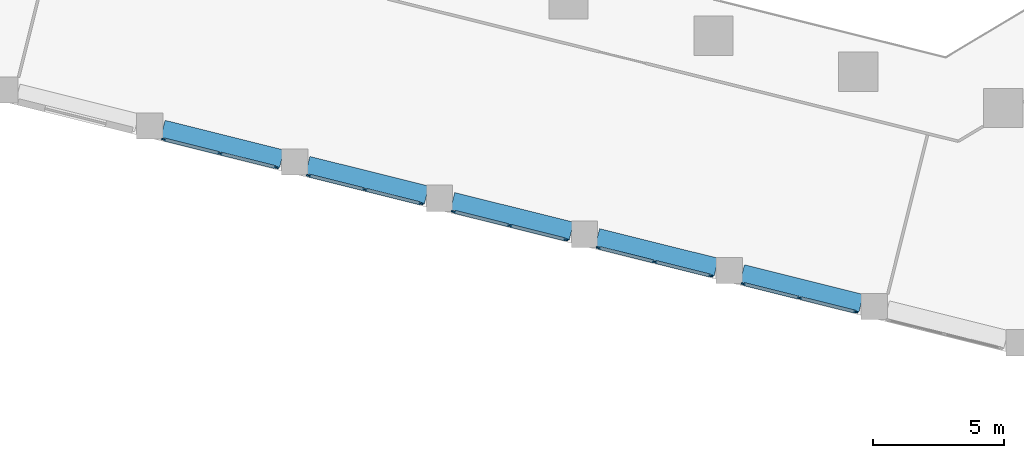
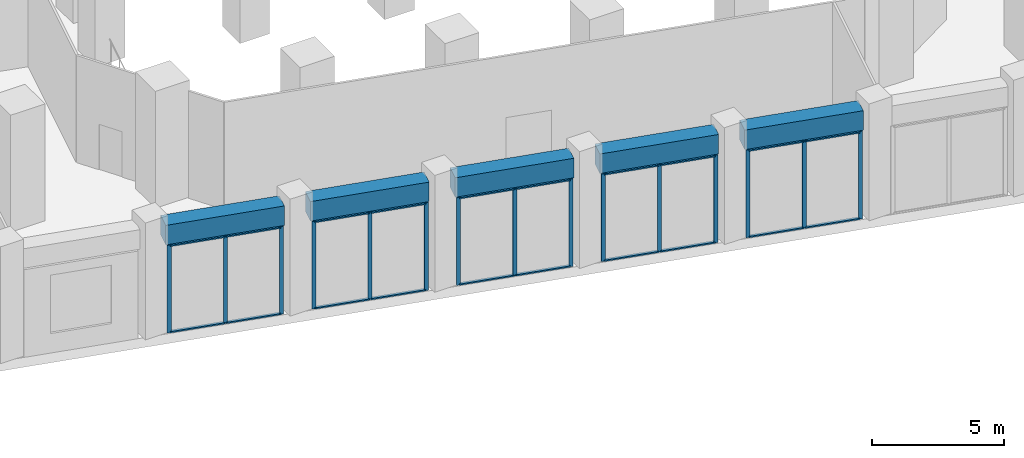
# One storey, part 2 of 23: 35 members, 5 beams, 5 elements without a shape of their own.
"""IFC4 building model written with IfcOpenShell, lengths in metres."""

from ifc_helpers import new_model, si_unit, direction, frame, origin, origin_2d, place, context, subcontext, project, spatial, rectangle, extrude, material, material_profile, profile_set, type_object, element, aggregate, save


model = new_model("IFC4")

# Units and contexts
model_context = context("Model", 3, precision=1e-05, world=origin(), true_north=direction((0.0, 1.0)))
body_context = subcontext(model_context, "Body", "Model", "MODEL_VIEW")
ifc_project = project(units=[si_unit("LENGTHUNIT", "METRE"), si_unit("AREAUNIT", "SQUARE_METRE"), si_unit("VOLUMEUNIT", "CUBIC_METRE"), si_unit("PLANEANGLEUNIT", "RADIAN"), si_unit("MASSUNIT", "GRAM", prefix="KILO")], contexts=[model_context])

# Site, building, storey
site_placement = place(None, origin())
site = spatial("IfcSite", under=ifc_project, at=site_placement, CompositionType="ELEMENT")
building_placement = place(site_placement, origin())
building = spatial("IfcBuilding", under=site, at=building_placement, Name="Meshkara Civic Tower", CompositionType="ELEMENT")
storey_placement = place(building_placement, frame((0.0, 0.0, 7.199951171875)))
storey = spatial("IfcBuildingStorey", under=building, at=storey_placement, Name="L01", CompositionType="ELEMENT", Elevation=7.199951171875)

# Curtain wall, members
ifc_material_1 = material(Name="Tinted double glazing", Category="glass")
curtain_wall_type = type_object("IfcCurtainWallType", Name="CW SERVICE HALL FRONT", PredefinedType="NOTDEFINED", material=ifc_material_1)
curtain_wall_1_placement = place(storey_placement, origin())
curtain_wall_1 = element("IfcCurtainWall", 1, at=curtain_wall_1_placement, inside=storey, type_object=curtain_wall_type, Name="Curtain wall CW1", PredefinedType="NOTDEFINED")
ifc_material_2 = material(Name="Bronze anodised aluminium", Category="aluminium")
ifc_material_profile_1 = material_profile(ifc_material_2, rectangle(XDim=0.06005859375, YDim=0.159912109375, at=origin_2d()))
ifc_profile_set_1 = profile_set([ifc_material_profile_1], Name="Bronze anodised aluminium")
member_type_1 = type_object("IfcMemberType", Name="CW MULLION 60x160", PredefinedType="MULLION", material=ifc_profile_set_1)
member_1_placement = place(storey_placement, frame((29.046142578125, -15.97119140625, 0.0), z_axis=(0.0, 0.0, 1.0), x_axis=(0.24201124502, 0.970273444594, 0.0)))
member_1 = element("IfcMember", 2, at=member_1_placement, type_object=member_type_1, Name="CW1 mullion 1", PredefinedType="MULLION", context=body_context, shape_type="SweptSolid", body=[
    extrude(rectangle(XDim=0.06005859375, YDim=0.159912109375, at=origin_2d()), origin(), (0.0, 0.0, 1.0), 4.050048828125),
])
member_2_placement = place(storey_placement, frame((31.194091796875, -16.507080078125, 0.0), z_axis=(0.0, 0.0, 1.0), x_axis=(0.24201124502, 0.970273444594, 0.0)))
member_2 = element("IfcMember", 3, at=member_2_placement, type_object=member_type_1, Name="CW1 mullion 2", PredefinedType="MULLION", context=body_context, shape_type="SweptSolid", body=[
    extrude(rectangle(XDim=0.06005859375, YDim=0.159912109375, at=origin_2d()), origin(), (0.0, 0.0, 1.0), 4.050048828125),
])
member_3_placement = place(storey_placement, frame((33.341796875, -17.042724609375, 0.0), z_axis=(0.0, 0.0, 1.0), x_axis=(0.24201124502, 0.970273444594, 0.0)))
member_3 = element("IfcMember", 4, at=member_3_placement, type_object=member_type_1, Name="CW1 mullion 3", PredefinedType="MULLION", context=body_context, shape_type="SweptSolid", body=[
    extrude(rectangle(XDim=0.06005859375, YDim=0.159912109375, at=origin_2d()), origin(), (0.0, 0.0, 1.0), 4.050048828125),
])

curtain_wall_2_placement = place(storey_placement, origin())
curtain_wall_2 = element("IfcCurtainWall", 5, at=curtain_wall_2_placement, inside=storey, type_object=curtain_wall_type, Name="Curtain wall CW1", PredefinedType="NOTDEFINED")
member_4_placement = place(storey_placement, frame((34.5771484375, -17.350341796875, 0.0), z_axis=(0.0, 0.0, 1.0), x_axis=(0.24201124502, 0.970273444594, 0.0)))
member_4 = element("IfcMember", 6, at=member_4_placement, type_object=member_type_1, Name="CW1 mullion 1", PredefinedType="MULLION", context=body_context, shape_type="SweptSolid", body=[
    extrude(rectangle(XDim=0.06005859375, YDim=0.159912109375, at=origin_2d()), origin(), (0.0, 0.0, 1.0), 4.050048828125),
])
member_5_placement = place(storey_placement, frame((36.72509765625, -17.885986328125, 0.0), z_axis=(0.0, 0.0, 1.0), x_axis=(0.24201124502, 0.970273444594, 0.0)))
member_5 = element("IfcMember", 7, at=member_5_placement, type_object=member_type_1, Name="CW1 mullion 2", PredefinedType="MULLION", context=body_context, shape_type="SweptSolid", body=[
    extrude(rectangle(XDim=0.06005859375, YDim=0.159912109375, at=origin_2d()), origin(), (0.0, 0.0, 1.0), 4.050048828125),
])
member_6_placement = place(storey_placement, frame((38.872802734375, -18.421630859375, 0.0), z_axis=(0.0, 0.0, 1.0), x_axis=(0.24201124502, 0.970273444594, 0.0)))
member_6 = element("IfcMember", 8, at=member_6_placement, type_object=member_type_1, Name="CW1 mullion 3", PredefinedType="MULLION", context=body_context, shape_type="SweptSolid", body=[
    extrude(rectangle(XDim=0.06005859375, YDim=0.159912109375, at=origin_2d()), origin(), (0.0, 0.0, 1.0), 4.050048828125),
])

curtain_wall_3_placement = place(storey_placement, origin())
curtain_wall_3 = element("IfcCurtainWall", 9, at=curtain_wall_3_placement, inside=storey, type_object=curtain_wall_type, Name="Curtain wall CW1", PredefinedType="NOTDEFINED")
member_7_placement = place(storey_placement, frame((40.107177734375, -18.729248046875, 0.0), z_axis=(0.0, 0.0, 1.0), x_axis=(0.24201124502, 0.970273444594, 0.0)))
member_7 = element("IfcMember", 10, at=member_7_placement, type_object=member_type_1, Name="CW1 mullion 1", PredefinedType="MULLION", context=body_context, shape_type="SweptSolid", body=[
    extrude(rectangle(XDim=0.06005859375, YDim=0.159912109375, at=origin_2d()), origin(), (0.0, 0.0, 1.0), 4.050048828125),
])
member_8_placement = place(storey_placement, frame((42.2548828125, -19.264892578125, 0.0), z_axis=(0.0, 0.0, 1.0), x_axis=(0.24201124502, 0.970273444594, 0.0)))
member_8 = element("IfcMember", 11, at=member_8_placement, type_object=member_type_1, Name="CW1 mullion 2", PredefinedType="MULLION", context=body_context, shape_type="SweptSolid", body=[
    extrude(rectangle(XDim=0.06005859375, YDim=0.159912109375, at=origin_2d()), origin(), (0.0, 0.0, 1.0), 4.050048828125),
])
member_9_placement = place(storey_placement, frame((44.40283203125, -19.80078125, 0.0), z_axis=(0.0, 0.0, 1.0), x_axis=(0.24201124502, 0.970273444594, 0.0)))
member_9 = element("IfcMember", 12, at=member_9_placement, type_object=member_type_1, Name="CW1 mullion 3", PredefinedType="MULLION", context=body_context, shape_type="SweptSolid", body=[
    extrude(rectangle(XDim=0.06005859375, YDim=0.159912109375, at=origin_2d()), origin(), (0.0, 0.0, 1.0), 4.050048828125),
])

curtain_wall_4_placement = place(storey_placement, origin())
curtain_wall_4 = element("IfcCurtainWall", 13, at=curtain_wall_4_placement, inside=storey, type_object=curtain_wall_type, Name="Curtain wall CW1", PredefinedType="NOTDEFINED")
member_10_placement = place(storey_placement, frame((45.63818359375, -20.108154296875, 0.0), z_axis=(0.0, 0.0, 1.0), x_axis=(0.24201124502, 0.970273444594, 0.0)))
member_10 = element("IfcMember", 14, at=member_10_placement, type_object=member_type_1, Name="CW1 mullion 1", PredefinedType="MULLION", context=body_context, shape_type="SweptSolid", body=[
    extrude(rectangle(XDim=0.06005859375, YDim=0.159912109375, at=origin_2d()), origin(), (0.0, 0.0, 1.0), 4.050048828125),
])
member_11_placement = place(storey_placement, frame((47.785888671875, -20.64404296875, 0.0), z_axis=(0.0, 0.0, 1.0), x_axis=(0.24201124502, 0.970273444594, 0.0)))
member_11 = element("IfcMember", 15, at=member_11_placement, type_object=member_type_1, Name="CW1 mullion 2", PredefinedType="MULLION", context=body_context, shape_type="SweptSolid", body=[
    extrude(rectangle(XDim=0.06005859375, YDim=0.159912109375, at=origin_2d()), origin(), (0.0, 0.0, 1.0), 4.050048828125),
])
member_12_placement = place(storey_placement, frame((49.933837890625, -21.1796875, 0.0), z_axis=(0.0, 0.0, 1.0), x_axis=(0.24201124502, 0.970273444594, 0.0)))
member_12 = element("IfcMember", 16, at=member_12_placement, type_object=member_type_1, Name="CW1 mullion 3", PredefinedType="MULLION", context=body_context, shape_type="SweptSolid", body=[
    extrude(rectangle(XDim=0.06005859375, YDim=0.159912109375, at=origin_2d()), origin(), (0.0, 0.0, 1.0), 4.050048828125),
])

curtain_wall_5_placement = place(storey_placement, origin())
curtain_wall_5 = element("IfcCurtainWall", 17, at=curtain_wall_5_placement, inside=storey, type_object=curtain_wall_type, Name="Curtain wall CW1", PredefinedType="NOTDEFINED")
member_13_placement = place(storey_placement, frame((51.169189453125, -21.4873046875, 0.0), z_axis=(0.0, 0.0, 1.0), x_axis=(0.24201124502, 0.970273444594, 0.0)))
member_13 = element("IfcMember", 18, at=member_13_placement, type_object=member_type_1, Name="CW1 mullion 1", PredefinedType="MULLION", context=body_context, shape_type="SweptSolid", body=[
    extrude(rectangle(XDim=0.06005859375, YDim=0.159912109375, at=origin_2d()), origin(), (0.0, 0.0, 1.0), 4.050048828125),
])
member_14_placement = place(storey_placement, frame((53.31689453125, -22.02294921875, 0.0), z_axis=(0.0, 0.0, 1.0), x_axis=(0.24201124502, 0.970273444594, 0.0)))
member_14 = element("IfcMember", 19, at=member_14_placement, type_object=member_type_1, Name="CW1 mullion 2", PredefinedType="MULLION", context=body_context, shape_type="SweptSolid", body=[
    extrude(rectangle(XDim=0.06005859375, YDim=0.159912109375, at=origin_2d()), origin(), (0.0, 0.0, 1.0), 4.050048828125),
])
member_15_placement = place(storey_placement, frame((55.46484375, -22.558837890625, 0.0), z_axis=(0.0, 0.0, 1.0), x_axis=(0.24201124502, 0.970273444594, 0.0)))
member_15 = element("IfcMember", 20, at=member_15_placement, type_object=member_type_1, Name="CW1 mullion 3", PredefinedType="MULLION", context=body_context, shape_type="SweptSolid", body=[
    extrude(rectangle(XDim=0.06005859375, YDim=0.159912109375, at=origin_2d()), origin(), (0.0, 0.0, 1.0), 4.050048828125),
])

# Member
ifc_material_3 = material(Name="Bronze anodised aluminium", Category="aluminium")
ifc_material_profile_2 = material_profile(ifc_material_3, rectangle(XDim=0.1201171875, YDim=0.06005859375, at=origin_2d()))
ifc_profile_set_2 = profile_set([ifc_material_profile_2], Name="Bronze anodised aluminium")
member_type_2 = type_object("IfcMemberType", Name="CW TRANSOM 60x120", PredefinedType="USERDEFINED", material=ifc_profile_set_2)
member_16_placement = place(storey_placement, frame((29.0751953125, -15.978515625, 0.030029296875), z_axis=(0.970269066962, -0.242028795182, 0.0), x_axis=(0.242028795182, 0.970269066962, 0.0)))
member_16 = element("IfcMember", 21, at=member_16_placement, type_object=member_type_2, Name="CW1 transom 1.1", ObjectType="TRANSOM", PredefinedType="USERDEFINED", context=body_context, shape_type="SweptSolid", body=[
    extrude(rectangle(XDim=0.1201171875, YDim=0.06005859375, at=origin_2d()), origin(), (0.0, 0.0, 1.0), 2.153564453125),
])

member_17_placement = place(storey_placement, frame((29.0751953125, -15.978515625, 4.02001953125), z_axis=(0.970269066962, -0.242028795182, 0.0), x_axis=(0.242028795182, 0.970269066962, 0.0)))
member_17 = element("IfcMember", 22, at=member_17_placement, type_object=member_type_2, Name="CW1 transom 1.2", ObjectType="TRANSOM", PredefinedType="USERDEFINED", context=body_context, shape_type="SweptSolid", body=[
    extrude(rectangle(XDim=0.1201171875, YDim=0.06005859375, at=origin_2d()), origin(), (0.0, 0.0, 1.0), 2.153564453125),
])

member_18_placement = place(storey_placement, frame((31.22314453125, -16.51416015625, 0.030029296875), z_axis=(0.970269066962, -0.242028795182, 0.0), x_axis=(0.242028795182, 0.970269066962, 0.0)))
member_18 = element("IfcMember", 23, at=member_18_placement, type_object=member_type_2, Name="CW1 transom 2.1", ObjectType="TRANSOM", PredefinedType="USERDEFINED", context=body_context, shape_type="SweptSolid", body=[
    extrude(rectangle(XDim=0.1201171875, YDim=0.06005859375, at=origin_2d()), origin(), (0.0, 0.0, 1.0), 2.153564453125),
])

member_19_placement = place(storey_placement, frame((31.22314453125, -16.51416015625, 4.02001953125), z_axis=(0.970269066962, -0.242028795182, 0.0), x_axis=(0.242028795182, 0.970269066962, 0.0)))
member_19 = element("IfcMember", 24, at=member_19_placement, type_object=member_type_2, Name="CW1 transom 2.2", ObjectType="TRANSOM", PredefinedType="USERDEFINED", context=body_context, shape_type="SweptSolid", body=[
    extrude(rectangle(XDim=0.1201171875, YDim=0.06005859375, at=origin_2d()), origin(), (0.0, 0.0, 1.0), 2.153564453125),
])

aggregate(curtain_wall_1, [member_1, member_2, member_3, member_16, member_17, member_18, member_19])

member_20_placement = place(storey_placement, frame((34.606201171875, -17.357421875, 0.030029296875), z_axis=(0.970269066962, -0.242028795182, 0.0), x_axis=(0.242028795182, 0.970269066962, 0.0)))
member_20 = element("IfcMember", 25, at=member_20_placement, type_object=member_type_2, Name="CW1 transom 1.1", ObjectType="TRANSOM", PredefinedType="USERDEFINED", context=body_context, shape_type="SweptSolid", body=[
    extrude(rectangle(XDim=0.1201171875, YDim=0.06005859375, at=origin_2d()), origin(), (0.0, 0.0, 1.0), 2.153564453125),
])

member_21_placement = place(storey_placement, frame((34.606201171875, -17.357421875, 4.02001953125), z_axis=(0.970269066962, -0.242028795182, 0.0), x_axis=(0.242028795182, 0.970269066962, 0.0)))
member_21 = element("IfcMember", 26, at=member_21_placement, type_object=member_type_2, Name="CW1 transom 1.2", ObjectType="TRANSOM", PredefinedType="USERDEFINED", context=body_context, shape_type="SweptSolid", body=[
    extrude(rectangle(XDim=0.1201171875, YDim=0.06005859375, at=origin_2d()), origin(), (0.0, 0.0, 1.0), 2.153564453125),
])

member_22_placement = place(storey_placement, frame((36.754150390625, -17.893310546875, 0.030029296875), z_axis=(0.970269066962, -0.242028795182, 0.0), x_axis=(0.242028795182, 0.970269066962, 0.0)))
member_22 = element("IfcMember", 27, at=member_22_placement, type_object=member_type_2, Name="CW1 transom 2.1", ObjectType="TRANSOM", PredefinedType="USERDEFINED", context=body_context, shape_type="SweptSolid", body=[
    extrude(rectangle(XDim=0.1201171875, YDim=0.06005859375, at=origin_2d()), origin(), (0.0, 0.0, 1.0), 2.153564453125),
])

member_23_placement = place(storey_placement, frame((36.754150390625, -17.893310546875, 4.02001953125), z_axis=(0.970269066962, -0.242028795182, 0.0), x_axis=(0.242028795182, 0.970269066962, 0.0)))
member_23 = element("IfcMember", 28, at=member_23_placement, type_object=member_type_2, Name="CW1 transom 2.2", ObjectType="TRANSOM", PredefinedType="USERDEFINED", context=body_context, shape_type="SweptSolid", body=[
    extrude(rectangle(XDim=0.1201171875, YDim=0.06005859375, at=origin_2d()), origin(), (0.0, 0.0, 1.0), 2.153564453125),
])

aggregate(curtain_wall_2, [member_4, member_5, member_6, member_20, member_21, member_22, member_23])

member_24_placement = place(storey_placement, frame((40.13623046875, -18.736572265625, 0.030029296875), z_axis=(0.970269066962, -0.242028795182, 0.0), x_axis=(0.242028795182, 0.970269066962, 0.0)))
member_24 = element("IfcMember", 29, at=member_24_placement, type_object=member_type_2, Name="CW1 transom 1.1", ObjectType="TRANSOM", PredefinedType="USERDEFINED", context=body_context, shape_type="SweptSolid", body=[
    extrude(rectangle(XDim=0.1201171875, YDim=0.06005859375, at=origin_2d()), origin(), (0.0, 0.0, 1.0), 2.153564453125),
])

member_25_placement = place(storey_placement, frame((40.13623046875, -18.736572265625, 4.02001953125), z_axis=(0.970269066962, -0.242028795182, 0.0), x_axis=(0.242028795182, 0.970269066962, 0.0)))
member_25 = element("IfcMember", 30, at=member_25_placement, type_object=member_type_2, Name="CW1 transom 1.2", ObjectType="TRANSOM", PredefinedType="USERDEFINED", context=body_context, shape_type="SweptSolid", body=[
    extrude(rectangle(XDim=0.1201171875, YDim=0.06005859375, at=origin_2d()), origin(), (0.0, 0.0, 1.0), 2.153564453125),
])

member_26_placement = place(storey_placement, frame((42.2841796875, -19.272216796875, 0.030029296875), z_axis=(0.970269066962, -0.242028795182, 0.0), x_axis=(0.242028795182, 0.970269066962, 0.0)))
member_26 = element("IfcMember", 31, at=member_26_placement, type_object=member_type_2, Name="CW1 transom 2.1", ObjectType="TRANSOM", PredefinedType="USERDEFINED", context=body_context, shape_type="SweptSolid", body=[
    extrude(rectangle(XDim=0.1201171875, YDim=0.06005859375, at=origin_2d()), origin(), (0.0, 0.0, 1.0), 2.153564453125),
])

member_27_placement = place(storey_placement, frame((42.2841796875, -19.272216796875, 4.02001953125), z_axis=(0.970269066962, -0.242028795182, 0.0), x_axis=(0.242028795182, 0.970269066962, 0.0)))
member_27 = element("IfcMember", 32, at=member_27_placement, type_object=member_type_2, Name="CW1 transom 2.2", ObjectType="TRANSOM", PredefinedType="USERDEFINED", context=body_context, shape_type="SweptSolid", body=[
    extrude(rectangle(XDim=0.1201171875, YDim=0.06005859375, at=origin_2d()), origin(), (0.0, 0.0, 1.0), 2.153564453125),
])

aggregate(curtain_wall_3, [member_7, member_8, member_9, member_24, member_25, member_26, member_27])

member_28_placement = place(storey_placement, frame((45.667236328125, -20.115478515625, 0.030029296875), z_axis=(0.970269066962, -0.242028795182, 0.0), x_axis=(0.242028795182, 0.970269066962, 0.0)))
member_28 = element("IfcMember", 33, at=member_28_placement, type_object=member_type_2, Name="CW1 transom 1.1", ObjectType="TRANSOM", PredefinedType="USERDEFINED", context=body_context, shape_type="SweptSolid", body=[
    extrude(rectangle(XDim=0.1201171875, YDim=0.06005859375, at=origin_2d()), origin(), (0.0, 0.0, 1.0), 2.153564453125),
])

member_29_placement = place(storey_placement, frame((45.667236328125, -20.115478515625, 4.02001953125), z_axis=(0.970269066962, -0.242028795182, 0.0), x_axis=(0.242028795182, 0.970269066962, 0.0)))
member_29 = element("IfcMember", 34, at=member_29_placement, type_object=member_type_2, Name="CW1 transom 1.2", ObjectType="TRANSOM", PredefinedType="USERDEFINED", context=body_context, shape_type="SweptSolid", body=[
    extrude(rectangle(XDim=0.1201171875, YDim=0.06005859375, at=origin_2d()), origin(), (0.0, 0.0, 1.0), 2.153564453125),
])

member_30_placement = place(storey_placement, frame((47.815185546875, -20.6513671875, 0.030029296875), z_axis=(0.970295683069, -0.241922068895, 0.0), x_axis=(0.241922068895, 0.970295683069, 0.0)))
member_30 = element("IfcMember", 35, at=member_30_placement, type_object=member_type_2, Name="CW1 transom 2.1", ObjectType="TRANSOM", PredefinedType="USERDEFINED", context=body_context, shape_type="SweptSolid", body=[
    extrude(rectangle(XDim=0.1201171875, YDim=0.06005859375, at=origin_2d()), origin(), (0.0, 0.0, 1.0), 2.153564453125),
])

member_31_placement = place(storey_placement, frame((47.815185546875, -20.6513671875, 4.02001953125), z_axis=(0.970295683069, -0.241922068895, 0.0), x_axis=(0.241922068895, 0.970295683069, 0.0)))
member_31 = element("IfcMember", 36, at=member_31_placement, type_object=member_type_2, Name="CW1 transom 2.2", ObjectType="TRANSOM", PredefinedType="USERDEFINED", context=body_context, shape_type="SweptSolid", body=[
    extrude(rectangle(XDim=0.1201171875, YDim=0.06005859375, at=origin_2d()), origin(), (0.0, 0.0, 1.0), 2.153564453125),
])

aggregate(curtain_wall_4, [member_10, member_11, member_12, member_28, member_29, member_30, member_31])

member_32_placement = place(storey_placement, frame((51.1982421875, -21.49462890625, 0.030029296875), z_axis=(0.970295683069, -0.241922068895, 0.0), x_axis=(0.241922068895, 0.970295683069, 0.0)))
member_32 = element("IfcMember", 37, at=member_32_placement, type_object=member_type_2, Name="CW1 transom 1.1", ObjectType="TRANSOM", PredefinedType="USERDEFINED", context=body_context, shape_type="SweptSolid", body=[
    extrude(rectangle(XDim=0.1201171875, YDim=0.06005859375, at=origin_2d()), origin(), (0.0, 0.0, 1.0), 2.153564453125),
])

member_33_placement = place(storey_placement, frame((51.1982421875, -21.49462890625, 4.02001953125), z_axis=(0.970295683069, -0.241922068895, 0.0), x_axis=(0.241922068895, 0.970295683069, 0.0)))
member_33 = element("IfcMember", 38, at=member_33_placement, type_object=member_type_2, Name="CW1 transom 1.2", ObjectType="TRANSOM", PredefinedType="USERDEFINED", context=body_context, shape_type="SweptSolid", body=[
    extrude(rectangle(XDim=0.1201171875, YDim=0.06005859375, at=origin_2d()), origin(), (0.0, 0.0, 1.0), 2.153564453125),
])

member_34_placement = place(storey_placement, frame((53.34619140625, -22.0302734375, 0.030029296875), z_axis=(0.970269066962, -0.242028795182, 0.0), x_axis=(0.242028795182, 0.970269066962, 0.0)))
member_34 = element("IfcMember", 39, at=member_34_placement, type_object=member_type_2, Name="CW1 transom 2.1", ObjectType="TRANSOM", PredefinedType="USERDEFINED", context=body_context, shape_type="SweptSolid", body=[
    extrude(rectangle(XDim=0.1201171875, YDim=0.06005859375, at=origin_2d()), origin(), (0.0, 0.0, 1.0), 2.153564453125),
])

member_35_placement = place(storey_placement, frame((53.34619140625, -22.0302734375, 4.02001953125), z_axis=(0.970269066962, -0.242028795182, 0.0), x_axis=(0.242028795182, 0.970269066962, 0.0)))
member_35 = element("IfcMember", 40, at=member_35_placement, type_object=member_type_2, Name="CW1 transom 2.2", ObjectType="TRANSOM", PredefinedType="USERDEFINED", context=body_context, shape_type="SweptSolid", body=[
    extrude(rectangle(XDim=0.1201171875, YDim=0.06005859375, at=origin_2d()), origin(), (0.0, 0.0, 1.0), 2.153564453125),
])

aggregate(curtain_wall_5, [member_13, member_14, member_15, member_32, member_33, member_34, member_35])

# Beams
ifc_material_4 = material(Name="Concrete C60", Category="concrete")
ifc_material_profile_3 = material_profile(ifc_material_4, rectangle(XDim=0.699951171875, YDim=0.89990234375, at=origin_2d()))
ifc_profile_set_3 = profile_set([ifc_material_profile_3], Name="Concrete C60")
beam_type = type_object("IfcBeamType", Name="Spandrel beam RC 700x900 C60", PredefinedType="BEAM", material=ifc_profile_set_3)
beam_1_placement = place(storey_placement, frame((29.01318359375, -15.58251953125, 4.5), z_axis=(0.970298806378, -0.241909541651, 0.0), x_axis=(0.241909541651, 0.970298806378, 0.0)))
element("IfcBeam", 41, at=beam_1_placement, inside=storey, type_object=beam_type, Name="Spandrel beam PD04-03-PD04-04", PredefinedType="BEAM", context=body_context, shape_type="SweptSolid", body=[
    extrude(rectangle(XDim=0.699951171875, YDim=0.89990234375, at=origin_2d()), origin(), (0.0, 0.0, 1.0), 4.6796875),
])
beam_2_placement = place(storey_placement, frame((34.544189453125, -16.96142578125, 4.5), z_axis=(0.970347770718, -0.241713061011, 0.0), x_axis=(0.241713061011, 0.970347770718, 0.0)))
element("IfcBeam", 42, at=beam_2_placement, inside=storey, type_object=beam_type, Name="Spandrel beam PD04-04-PD04-05", PredefinedType="BEAM", context=body_context, shape_type="SweptSolid", body=[
    extrude(rectangle(XDim=0.699951171875, YDim=0.89990234375, at=origin_2d()), origin(), (0.0, 0.0, 1.0), 4.679443359375),
])
beam_3_placement = place(storey_placement, frame((40.0751953125, -18.339599609375, 4.5), z_axis=(0.970298839963, -0.241909406941, 0.0), x_axis=(0.241909406941, 0.970298839963, 0.0)))
element("IfcBeam", 43, at=beam_3_placement, inside=storey, type_object=beam_type, Name="Spandrel beam PD04-05-PD04-06", PredefinedType="BEAM", context=body_context, shape_type="SweptSolid", body=[
    extrude(rectangle(XDim=0.699951171875, YDim=0.89990234375, at=origin_2d()), origin(), (0.0, 0.0, 1.0), 4.6787109375),
])
for number, where, z_axis, x_axis, name in (
    (44, (45.60498046875, -19.718505859375, 4.5), (0.970301859111, -0.241897296812, 0.0), (0.241897296812, 0.970301859111, 0.0), "Spandrel beam PD04-06-PD04-07"),
    (45, (51.135986328125, -21.097412109375, 4.5), (0.970301859111, -0.241897296812, 0.0), (0.241897296812, 0.970301859111, 0.0), "Spandrel beam PD04-07-PD04-08"),
):
    element("IfcBeam", number, at=place(storey_placement, frame(where, z_axis=z_axis, x_axis=x_axis)), inside=storey, type_object=beam_type, Name=name, PredefinedType="BEAM", context=body_context, shape_type="SweptSolid", body=[
        extrude(rectangle(XDim=0.699951171875, YDim=0.89990234375, at=origin_2d()), origin(), (0.0, 0.0, 1.0), 4.679931640625),
    ])

save(model, "model.ifc")
